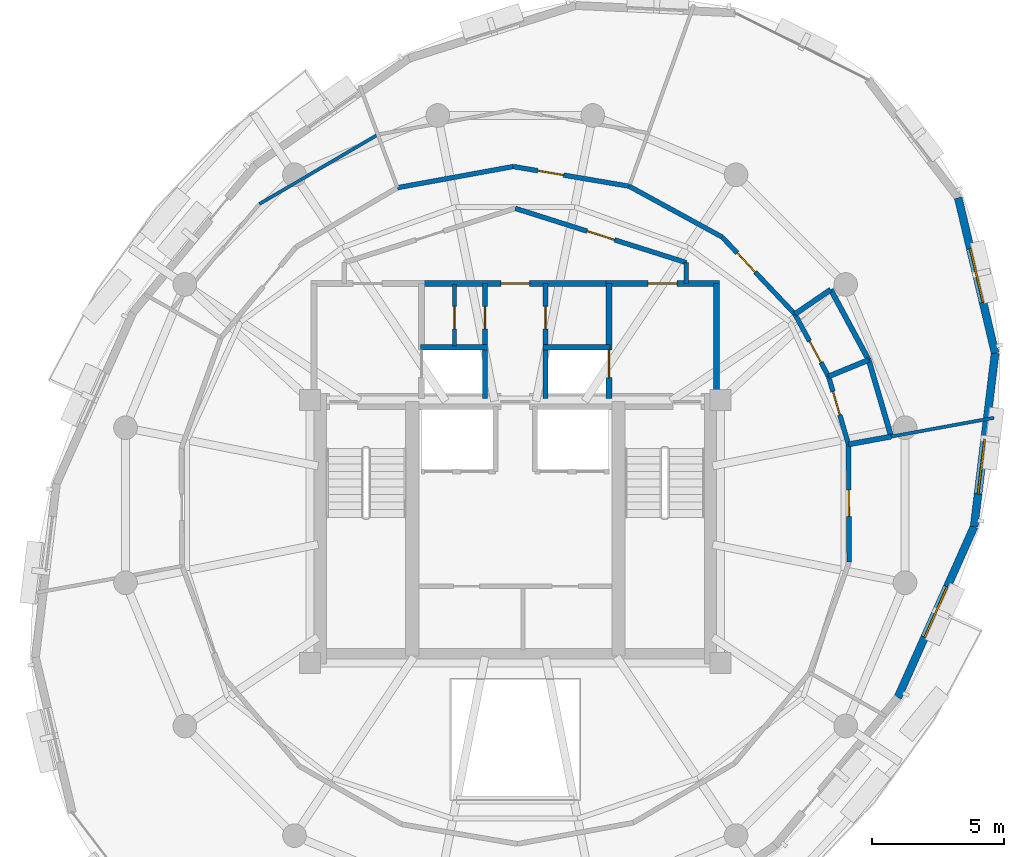
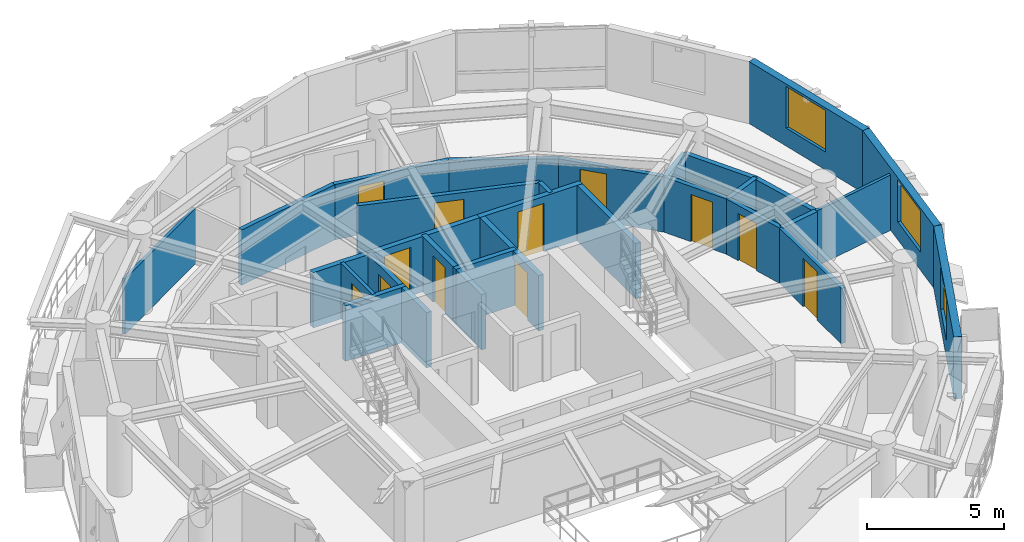
# One storey, part 8 of 11: 28 walls, 12 doors, 3 windows, 15 openings.
"""IFC4 building model written with IfcOpenShell, lengths in metres."""

from ifc_helpers import new_model, si_unit, direction, frame, frame_2d, origin, place, context, subcontext, project, spatial, rectangle, extrude, material, layer, layer_set, type_object, element, fill, save


model = new_model("IFC4")

# Units and contexts
model_context = context("Model", 3, precision=1e-05, world=origin(), true_north=direction((0.0, 1.0)))
body_context = subcontext(model_context, "Body", "Model", "MODEL_VIEW")
ifc_project = project(units=[si_unit("LENGTHUNIT", "METRE"), si_unit("AREAUNIT", "SQUARE_METRE"), si_unit("VOLUMEUNIT", "CUBIC_METRE"), si_unit("PLANEANGLEUNIT", "RADIAN"), si_unit("MASSUNIT", "GRAM", prefix="KILO"), si_unit("THERMODYNAMICTEMPERATUREUNIT", "KELVIN"), si_unit("POWERUNIT", "WATT")], contexts=[model_context])

# Site, building, storey
site_placement = place(None, origin())
site = spatial("IfcSite", under=ifc_project, at=site_placement, CompositionType="ELEMENT")
building_placement = place(site_placement, origin())
building = spatial("IfcBuilding", under=site, at=building_placement, Name="Ocrelia Relay Tower", CompositionType="ELEMENT")
storey_placement = place(building_placement, frame((0.0, 0.0, 241.199951171875)))
storey = spatial("IfcBuildingStorey", under=building, at=storey_placement, Name="L59", CompositionType="ELEMENT", Elevation=241.199951171875)

# Wall
ifc_material_1 = material(Name="Gypsum Fireboard Partition EI60", Category="gypsum")
ifc_layer_1 = layer(ifc_material_1, 0.179931640625, Name="Gypsum Fireboard Partition EI60")
ifc_layer_set_1 = layer_set([ifc_layer_1], Name="Gypsum Fireboard Partition EI60")
wall_type_1 = type_object("IfcWallType", Name="W-CORR-EI60-180", PredefinedType="PARTITIONING", material=ifc_layer_set_1)
wall_1_placement = place(storey_placement, frame((40.5, 35.218994140625, 0.0), z_axis=(0.0, 0.0, 1.0), x_axis=(0.0, -1.0, 0.0)))
element("IfcWall", 1, at=wall_1_placement, inside=storey, type_object=wall_type_1, Name="L59 Smoke Lobby East Return", PredefinedType="PARTITIONING", context=body_context, shape_type="SweptSolid", body=[
    extrude(rectangle(XDim=0.7890625, YDim=0.179931640625, at=frame_2d((0.39453125, 0.0))), origin(), (0.0, 0.0, 1.0), 2.4599609375),
])

# Wall, opening, door
wall_2_placement = place(storey_placement, frame((34.0, 37.280029296875, 0.0), z_axis=(0.0, 0.0, 1.0), x_axis=(0.953228121756, -0.302251795518, 0.0)))
wall_2 = element("IfcWall", 2, at=wall_2_placement, inside=storey, type_object=wall_type_1, Name="L59 North Smoke Lobby E Screen Wall", PredefinedType="PARTITIONING", context=body_context, shape_type="SweptSolid", body=[
    extrude(rectangle(XDim=6.81884765625, YDim=0.179931640625, at=frame_2d((3.409423828125, 0.0))), origin(), (0.0, 0.0, 1.0), 2.4599609375),
])
opening_1_placement = place(wall_2_placement, frame((2.859619140625, 0.0, 0.0)))
opening_1 = element("IfcOpeningElement", 3, at=opening_1_placement, cuts=wall_2, Name="Opening D-FD60", PredefinedType="OPENING", context=body_context, shape_type="SweptSolid", body=[
    extrude(rectangle(XDim=1.10009765625, YDim=2.14990234375, at=frame_2d((0.550048828125, 1.074951171875))), frame((0.0, 0.10009765625, 0.0), z_axis=(0.0, -1.0, 0.0), x_axis=(1.0, 0.0, 0.0)), (0.0, 0.0, 1.0), 0.199951171875),
])
ifc_material_2 = material(Name="Timber-core 60-min acoustic fire door", Category="wood")
door_type_1 = type_object("IfcDoorType", Name="DR-LOBBY-FD60-1100", OperationType="NOTDEFINED", PredefinedType="DOOR", material=ifc_material_2)
door_1_placement = place(opening_1_placement, origin())
door_1 = element("IfcDoor", 4, at=door_1_placement, inside=storey, type_object=door_type_1, Name="L59 North Smoke Lobby E Fire Door", OperationType="SINGLE_SWING_LEFT", OverallHeight=2.14990234375, OverallWidth=1.10009765625, PredefinedType="DOOR", context=body_context, shape_type="SweptSolid", body=[
    extrude(rectangle(XDim=1.10009765625, YDim=2.14990234375, at=frame_2d((0.550048828125, 1.074951171875))), frame((0.0, 0.02490234375, 0.0), z_axis=(0.0, -1.0, 0.0), x_axis=(1.0, 0.0, 0.0)), (0.0, 0.0, 1.0), 0.050048828125),
])
fill(opening_1, door_1)

wall_3_placement = place(storey_placement, frame((46.66064453125, 28.312255859375, 0.0), z_axis=(0.0, 0.0, 1.0), x_axis=(-0.281473567951, 0.95956898165, 0.0)))
wall_3 = element("IfcWall", 5, at=wall_3_placement, inside=storey, type_object=wall_type_1, Name="L59 Staff Toilet Corridor Wall", PredefinedType="PARTITIONING", context=body_context, shape_type="SweptSolid", body=[
    extrude(rectangle(XDim=2.690673828125, YDim=0.179931640625, at=frame_2d((1.34521484375, 0.0))), origin(), (0.0, 0.0, 1.0), 2.4599609375),
])
opening_2_placement = place(wall_3_placement, frame((1.16748046875, 0.0, 0.0)))
opening_2 = element("IfcOpeningElement", 6, at=opening_2_placement, cuts=wall_3, Name="Opening D-WC92", PredefinedType="OPENING", context=body_context, shape_type="SweptSolid", body=[
    extrude(rectangle(XDim=0.919921875, YDim=2.10009765625, at=frame_2d((0.4599609375, 1.050048828125))), frame((0.0, 0.10009765625, 0.0), z_axis=(0.0, -1.0, 0.0), x_axis=(1.0, 0.0, 0.0)), (0.0, 0.0, 1.0), 0.199951171875),
])
ifc_material_3 = material(Name="Laminate washroom door", Category="wood")
door_type_2 = type_object("IfcDoorType", Name="DR-WC-920", OperationType="NOTDEFINED", PredefinedType="DOOR", material=ifc_material_3)
door_2_placement = place(opening_2_placement, origin())
door_2 = element("IfcDoor", 7, at=door_2_placement, inside=storey, type_object=door_type_2, Name="L59 Staff Toilet Door", OperationType="SINGLE_SWING_RIGHT", OverallHeight=2.10009765625, OverallWidth=0.919921875, PredefinedType="DOOR", context=body_context, shape_type="SweptSolid", body=[
    extrude(rectangle(XDim=0.919921875, YDim=2.10009765625, at=frame_2d((0.4599609375, 1.050048828125))), frame((0.0, 0.02490234375, 0.0), z_axis=(0.0, -1.0, 0.0), x_axis=(1.0, 0.0, 0.0)), (0.0, 0.0, 1.0), 0.050048828125),
])
fill(opening_2, door_2)

wall_4_placement = place(storey_placement, frame((45.9033203125, 30.89404296875, 0.0), z_axis=(0.0, 0.0, 1.0), x_axis=(-0.474905831931, 0.88003661901, 0.0)))
wall_4 = element("IfcWall", 8, at=wall_4_placement, inside=storey, type_object=wall_type_1, Name="L59 Accessible Toilet Corridor Wall", PredefinedType="PARTITIONING", context=body_context, shape_type="SweptSolid", body=[
    extrude(rectangle(XDim=2.690673828125, YDim=0.179931640625, at=frame_2d((1.34521484375, 0.0))), origin(), (0.0, 0.0, 1.0), 2.4599609375),
])
opening_3_placement = place(wall_4_placement, frame((0.603271484375, 0.0, 0.0)))
opening_3 = element("IfcOpeningElement", 9, at=opening_3_placement, cuts=wall_4, Name="Opening D-WC92", PredefinedType="OPENING", context=body_context, shape_type="SweptSolid", body=[
    extrude(rectangle(XDim=0.919921875, YDim=2.10009765625, at=frame_2d((0.4599609375, 1.050048828125))), frame((0.0, 0.10009765625, 0.0), z_axis=(0.0, -1.0, 0.0), x_axis=(1.0, 0.0, 0.0)), (0.0, 0.0, 1.0), 0.199951171875),
])
door_3_placement = place(opening_3_placement, origin())
door_3 = element("IfcDoor", 10, at=door_3_placement, inside=storey, type_object=door_type_2, Name="L59 Accessible Toilet Door", OperationType="SINGLE_SWING_LEFT", OverallHeight=2.10009765625, OverallWidth=0.919921875, PredefinedType="DOOR", context=body_context, shape_type="SweptSolid", body=[
    extrude(rectangle(XDim=0.919921875, YDim=2.10009765625, at=frame_2d((0.4599609375, 1.050048828125))), frame((0.0, 0.02490234375, 0.0), z_axis=(0.0, -1.0, 0.0), x_axis=(1.0, 0.0, 0.0)), (0.0, 0.0, 1.0), 0.050048828125),
])
fill(opening_3, door_3)

wall_5_placement = place(storey_placement, frame((44.62548828125, 33.261962890625, 0.0), z_axis=(0.0, 0.0, 1.0), x_axis=(-0.686440124719, 0.727186327688, 0.0)))
wall_5 = element("IfcWall", 11, at=wall_5_placement, inside=storey, type_object=wall_type_1, Name="L59 Executive Boardroom Corridor Partition 1", PredefinedType="PARTITIONING", context=body_context, shape_type="SweptSolid", body=[
    extrude(rectangle(XDim=4.0263671875, YDim=0.179931640625, at=frame_2d((2.01318359375, 0.0))), origin(), (0.0, 0.0, 1.0), 2.4599609375),
])
opening_4_placement = place(wall_5_placement, frame((2.19482421875, 0.0, 0.0)))
opening_4 = element("IfcOpeningElement", 12, at=opening_4_placement, cuts=wall_5, Name="Opening D-RM100", PredefinedType="OPENING", context=body_context, shape_type="SweptSolid", body=[
    extrude(rectangle(XDim=1.0, YDim=2.14990234375, at=frame_2d((0.5, 1.074951171875))), frame((0.0, 0.10009765625, 0.0), z_axis=(0.0, -1.0, 0.0), x_axis=(1.0, 0.0, 0.0)), (0.0, 0.0, 1.0), 0.199951171875),
])
ifc_material_4 = material(Name="Acoustic oak veneer fire door", Category="wood")
door_type_3 = type_object("IfcDoorType", Name="DR-ROOM-FD60-1000", OperationType="NOTDEFINED", PredefinedType="DOOR", material=ifc_material_4)
door_4_placement = place(opening_4_placement, origin())
door_4 = element("IfcDoor", 13, at=door_4_placement, inside=storey, type_object=door_type_3, Name="L59 Executive Boardroom Entrance Door", OperationType="SINGLE_SWING_RIGHT", OverallHeight=2.14990234375, OverallWidth=1.0, PredefinedType="DOOR", context=body_context, shape_type="SweptSolid", body=[
    extrude(rectangle(XDim=1.0, YDim=2.14990234375, at=frame_2d((0.5, 1.074951171875))), frame((0.0, 0.02490234375, 0.0), z_axis=(0.0, -1.0, 0.0), x_axis=(1.0, 0.0, 0.0)), (0.0, 0.0, 1.0), 0.050048828125),
])
fill(opening_4, door_4)

# Wall
wall_6_placement = place(storey_placement, frame((41.861572265625, 36.18994140625, 0.0), z_axis=(0.0, 0.0, 1.0), x_axis=(-0.877561700538, 0.47946372308, 0.0)))
element("IfcWall", 14, at=wall_6_placement, inside=storey, type_object=wall_type_1, Name="L59 Executive Boardroom Corridor Partition 2", PredefinedType="PARTITIONING", context=body_context, shape_type="SweptSolid", body=[
    extrude(rectangle(XDim=4.026611328125, YDim=0.179931640625, at=frame_2d((2.01318359375, 0.0))), origin(), (0.0, 0.0, 1.0), 2.4599609375),
])

# Wall, opening, door
wall_7_placement = place(storey_placement, frame((38.327880859375, 38.12060546875, 0.0), z_axis=(0.0, 0.0, 1.0), x_axis=(-0.985849799471, 0.167631061808, 0.0)))
wall_7 = element("IfcWall", 15, at=wall_7_placement, inside=storey, type_object=wall_type_1, Name="L59 Directorate Conference Room Corridor Partition 1", PredefinedType="PARTITIONING", context=body_context, shape_type="SweptSolid", body=[
    extrude(rectangle(XDim=4.4697265625, YDim=0.179931640625, at=frame_2d((2.23486328125, 0.0))), origin(), (0.0, 0.0, 1.0), 2.4599609375),
])
opening_5_placement = place(wall_7_placement, frame((2.527099609375, 0.0, 0.0)))
opening_5 = element("IfcOpeningElement", 16, at=opening_5_placement, cuts=wall_7, Name="Opening D-RM100", PredefinedType="OPENING", context=body_context, shape_type="SweptSolid", body=[
    extrude(rectangle(XDim=1.0, YDim=2.14990234375, at=frame_2d((0.5, 1.074951171875))), frame((0.0, 0.10009765625, 0.0), z_axis=(0.0, -1.0, 0.0), x_axis=(1.0, 0.0, 0.0)), (0.0, 0.0, 1.0), 0.199951171875),
])
door_5_placement = place(opening_5_placement, origin())
door_5 = element("IfcDoor", 17, at=door_5_placement, inside=storey, type_object=door_type_3, Name="L59 Directorate Conference Room Entrance Door", OperationType="SINGLE_SWING_LEFT", OverallHeight=2.14990234375, OverallWidth=1.0, PredefinedType="DOOR", context=body_context, shape_type="SweptSolid", body=[
    extrude(rectangle(XDim=1.0, YDim=2.14990234375, at=frame_2d((0.5, 1.074951171875))), frame((0.0, 0.02490234375, 0.0), z_axis=(0.0, -1.0, 0.0), x_axis=(1.0, 0.0, 0.0)), (0.0, 0.0, 1.0), 0.050048828125),
])
fill(opening_5, door_5)

# Wall
wall_8_placement = place(storey_placement, frame((33.92138671875, 38.869873046875, 0.0), z_axis=(0.0, 0.0, 1.0), x_axis=(-0.983721002142, -0.179702504, 0.0)))
element("IfcWall", 18, at=wall_8_placement, inside=storey, type_object=wall_type_1, Name="L59 Directorate Conference Room Corridor Partition 2", PredefinedType="PARTITIONING", context=body_context, shape_type="SweptSolid", body=[
    extrude(rectangle(XDim=4.4697265625, YDim=0.179931640625, at=frame_2d((2.23486328125, 0.0))), origin(), (0.0, 0.0, 1.0), 2.4599609375),
])

# Wall, opening, door
wall_9_placement = place(storey_placement, frame((46.68798828125, 23.842529296875, 0.0), z_axis=(0.0, 0.0, 1.0), x_axis=(-0.006117429774, 0.999981288351, 0.0)))
wall_9 = element("IfcWall", 19, at=wall_9_placement, inside=storey, type_object=wall_type_1, Name="L59 Hospitality Servery Pantry Corridor Partition 2", PredefinedType="PARTITIONING", context=body_context, shape_type="SweptSolid", body=[
    extrude(rectangle(XDim=4.4697265625, YDim=0.179931640625, at=frame_2d((2.23486328125, 0.0))), origin(), (0.0, 0.0, 1.0), 2.4599609375),
])
opening_6_placement = place(wall_9_placement, frame((1.73486328125, 0.0, 0.0)))
opening_6 = element("IfcOpeningElement", 20, at=opening_6_placement, cuts=wall_9, Name="Opening D-RM100", PredefinedType="OPENING", context=body_context, shape_type="SweptSolid", body=[
    extrude(rectangle(XDim=1.0, YDim=2.14990234375, at=frame_2d((0.5, 1.074951171875))), frame((0.0, 0.10009765625, 0.0), z_axis=(0.0, -1.0, 0.0), x_axis=(1.0, 0.0, 0.0)), (0.0, 0.0, 1.0), 0.199951171875),
])
door_6_placement = place(opening_6_placement, origin())
door_6 = element("IfcDoor", 21, at=door_6_placement, inside=storey, type_object=door_type_3, Name="L59 Hospitality Servery Pantry Entrance Door", OperationType="SINGLE_SWING_LEFT", OverallHeight=2.14990234375, OverallWidth=1.0, PredefinedType="DOOR", context=body_context, shape_type="SweptSolid", body=[
    extrude(rectangle(XDim=1.0, YDim=2.14990234375, at=frame_2d((0.5, 1.074951171875))), frame((0.0, 0.02490234375, 0.0), z_axis=(0.0, -1.0, 0.0), x_axis=(1.0, 0.0, 0.0)), (0.0, 0.0, 1.0), 0.050048828125),
])
fill(opening_6, door_6)

# Wall, opening, window
ifc_material_5 = material(Name="Precast concrete C40/50 with oxide terracotta", Category="masonry")
ifc_layer_2 = layer(ifc_material_5, 0.300048828125, Name="Precast concrete C40/50 with oxide terracotta")
ifc_layer_set_2 = layer_set([ifc_layer_2], Name="Precast concrete C40/50 with oxide terracotta")
wall_type_2 = type_object("IfcWallType", Name="W-EXT-TERR-300", PredefinedType="SOLIDWALL", material=ifc_layer_set_2)
wall_10_placement = place(storey_placement, frame((48.534912109375, 18.6904296875, 0.0), z_axis=(0.0, 0.0, 1.0), x_axis=(0.407669232849, 0.913129671289, 0.0)))
wall_10 = element("IfcWall", 22, at=wall_10_placement, inside=storey, type_object=wall_type_2, Name="L59 Oxide Terracotta Facade Wall 15", PredefinedType="SOLIDWALL", context=body_context, shape_type="SweptSolid", body=[
    extrude(rectangle(XDim=7.115234375, YDim=0.300048828125, at=frame_2d((3.5576171875, 0.0))), origin(), (0.0, 0.0, 1.0), 2.760009765625),
])
opening_7_placement = place(wall_10_placement, frame((2.508056640625, 0.0, 0.800048828125)))
opening_7 = element("IfcOpeningElement", 23, at=opening_7_placement, cuts=wall_10, Name="Opening W-07", PredefinedType="OPENING", context=body_context, shape_type="SweptSolid", body=[
    extrude(rectangle(XDim=2.10009765625, YDim=1.85009765625, at=frame_2d((1.050048828125, 0.925048828125))), frame((0.0, 0.16015625, 0.0), z_axis=(0.0, -1.0, 0.0), x_axis=(1.0, 0.0, 0.0)), (0.0, 0.0, 1.0), 0.320068359375),
])
ifc_material_6 = material(Name="Clear double-glazed low-E glass", Category="glass")
window_type = type_object("IfcWindowType", Name="WIN-Z4-2100x2200", PartitioningType="DOUBLE_PANEL_VERTICAL", PredefinedType="WINDOW", material=ifc_material_6)
window_1_placement = place(opening_7_placement, origin())
window_1 = element("IfcWindow", 24, at=window_1_placement, inside=storey, type_object=window_type, Name="L59 Facade Module Window 15", OverallHeight=1.85009765625, OverallWidth=2.10009765625, PartitioningType="SINGLE_PANEL", PredefinedType="WINDOW", context=body_context, shape_type="SweptSolid", body=[
    extrude(rectangle(XDim=2.10009765625, YDim=1.85009765625, at=frame_2d((1.050048828125, 0.925048828125))), frame((0.0, 0.030029296875, 0.0), z_axis=(0.0, -1.0, 0.0), x_axis=(1.0, 0.0, 0.0)), (0.0, 0.0, 1.0), 0.06005859375),
])
fill(opening_7, window_1)

wall_11_placement = place(storey_placement, frame((51.435546875, 25.1875, 0.0), z_axis=(0.0, 0.0, 1.0), x_axis=(0.120062472336, 0.992766338439, 0.0)))
wall_11 = element("IfcWall", 25, at=wall_11_placement, inside=storey, type_object=wall_type_2, Name="L59 Oxide Terracotta Facade Wall 16", PredefinedType="SOLIDWALL", context=body_context, shape_type="SweptSolid", body=[
    extrude(rectangle(XDim=6.643310546875, YDim=0.300048828125, at=frame_2d((3.32177734375, 0.0))), origin(), (0.0, 0.0, 1.0), 2.760009765625),
])
opening_8_placement = place(wall_11_placement, frame((1.2509765625, 0.0, 0.800048828125)))
opening_8 = element("IfcOpeningElement", 26, at=opening_8_placement, cuts=wall_11, Name="Opening W-07", PredefinedType="OPENING", context=body_context, shape_type="SweptSolid", body=[
    extrude(rectangle(XDim=2.10009765625, YDim=1.85009765625, at=frame_2d((1.050048828125, 0.925048828125))), frame((0.0, 0.16015625, 0.0), z_axis=(0.0, -1.0, 0.0), x_axis=(1.0, 0.0, 0.0)), (0.0, 0.0, 1.0), 0.320068359375),
])
window_2_placement = place(opening_8_placement, origin())
window_2 = element("IfcWindow", 27, at=window_2_placement, inside=storey, type_object=window_type, Name="L59 Facade Module Window 16", OverallHeight=1.85009765625, OverallWidth=2.10009765625, PartitioningType="SINGLE_PANEL", PredefinedType="WINDOW", context=body_context, shape_type="SweptSolid", body=[
    extrude(rectangle(XDim=2.10009765625, YDim=1.85009765625, at=frame_2d((1.050048828125, 0.925048828125))), frame((0.0, 0.030029296875, 0.0), z_axis=(0.0, -1.0, 0.0), x_axis=(1.0, 0.0, 0.0)), (0.0, 0.0, 1.0), 0.06005859375),
])
fill(opening_8, window_2)

wall_12_placement = place(storey_placement, frame((52.233154296875, 31.78271484375, 0.0), z_axis=(0.0, 0.0, 1.0), x_axis=(-0.23117584111, 0.972911984964, 0.0)))
wall_12 = element("IfcWall", 28, at=wall_12_placement, inside=storey, type_object=wall_type_2, Name="L59 Oxide Terracotta Facade Wall 17", PredefinedType="SOLIDWALL", context=body_context, shape_type="SweptSolid", body=[
    extrude(rectangle(XDim=6.06201171875, YDim=0.300048828125, at=frame_2d((3.031005859375, 0.0))), origin(), (0.0, 0.0, 1.0), 2.760009765625),
])
opening_9_placement = place(wall_12_placement, frame((1.98095703125, 0.0, 0.800048828125)))
opening_9 = element("IfcOpeningElement", 29, at=opening_9_placement, cuts=wall_12, Name="Opening W-07", PredefinedType="OPENING", context=body_context, shape_type="SweptSolid", body=[
    extrude(rectangle(XDim=2.10009765625, YDim=1.85009765625, at=frame_2d((1.050048828125, 0.925048828125))), frame((0.0, 0.16015625, 0.0), z_axis=(0.0, -1.0, 0.0), x_axis=(1.0, 0.0, 0.0)), (0.0, 0.0, 1.0), 0.320068359375),
])
window_3_placement = place(opening_9_placement, origin())
window_3 = element("IfcWindow", 30, at=window_3_placement, inside=storey, type_object=window_type, Name="L59 Facade Module Window 17", OverallHeight=1.85009765625, OverallWidth=2.10009765625, PartitioningType="SINGLE_PANEL", PredefinedType="WINDOW", context=body_context, shape_type="SweptSolid", body=[
    extrude(rectangle(XDim=2.10009765625, YDim=1.85009765625, at=frame_2d((1.050048828125, 0.925048828125))), frame((0.0, 0.030029296875, 0.0), z_axis=(0.0, -1.0, 0.0), x_axis=(1.0, 0.0, 0.0)), (0.0, 0.0, 1.0), 0.06005859375),
])
fill(opening_9, window_3)

# Wall, opening, door
ifc_material_7 = material(Name="Concrete C50/60", Category="concrete")
ifc_layer_3 = layer(ifc_material_7, 0.219970703125, Name="Concrete C50/60")
ifc_layer_set_3 = layer_set([ifc_layer_3], Name="Concrete C50/60")
wall_type_3 = type_object("IfcWallType", Name="W-FFL-EI120-220", PredefinedType="SOLIDWALL", material=ifc_layer_set_3)
wall_13_placement = place(storey_placement, frame((37.56005859375, 30.050048828125, 0.0), z_axis=(0.0, 0.0, 1.0), x_axis=(0.0, 1.0, 0.0)))
wall_13 = element("IfcWall", 31, at=wall_13_placement, inside=storey, type_object=wall_type_3, Name="L59 E Fire Service Lift Lobby West Wall", PredefinedType="SOLIDWALL", context=body_context, shape_type="SweptSolid", body=[
    extrude(rectangle(XDim=4.3798828125, YDim=0.219970703125, at=frame_2d((2.18994140625, 0.0))), origin(), (0.0, 0.0, 1.0), 2.4599609375),
])
opening_10_placement = place(wall_13_placement, frame((0.800048828125, 0.0, 0.0)))
opening_10 = element("IfcOpeningElement", 32, at=opening_10_placement, cuts=wall_13, Name="Opening LD-FFL2", PredefinedType="OPENING", context=body_context, shape_type="SweptSolid", body=[
    extrude(rectangle(XDim=1.050048828125, YDim=2.10009765625, at=frame_2d((0.52490234375, 1.050048828125))), frame((0.0, 0.1201171875, 0.0), z_axis=(0.0, -1.0, 0.0), x_axis=(1.0, 0.0, 0.0)), (0.0, 0.0, 1.0), 0.239990234375),
])
ifc_material_8 = material(Name="Brushed stainless steel S355 lift landing door", Category="steel")
door_type_4 = type_object("IfcDoorType", Name="DR-LIFT-LAND-1050", OperationType="DOUBLE_DOOR_SLIDING", PredefinedType="USERDEFINED", material=ifc_material_8)
door_7_placement = place(opening_10_placement, origin())
door_7 = element("IfcDoor", 33, at=door_7_placement, inside=storey, type_object=door_type_4, Name="L59 Firefighting Lift FFL2 Sliding Landing Door", ObjectType="LANDING DOOR", OperationType="DOUBLE_DOOR_SLIDING", OverallHeight=2.10009765625, OverallWidth=1.050048828125, PredefinedType="USERDEFINED", context=body_context, shape_type="SweptSolid", body=[
    extrude(rectangle(XDim=1.050048828125, YDim=2.10009765625, at=frame_2d((0.52490234375, 1.050048828125))), frame((0.0, 0.02490234375, 0.0), z_axis=(0.0, -1.0, 0.0), x_axis=(1.0, 0.0, 0.0)), (0.0, 0.0, 1.0), 0.050048828125),
])
fill(opening_10, door_7)

# Wall
wall_14_placement = place(storey_placement, frame((41.64990234375, 30.050048828125, 0.0), z_axis=(0.0, 0.0, 1.0), x_axis=(0.0, 1.0, 0.0)))
element("IfcWall", 34, at=wall_14_placement, inside=storey, type_object=wall_type_3, Name="L59 E Fire Service Lift Lobby East Wall", PredefinedType="SOLIDWALL", context=body_context, shape_type="SweptSolid", body=[
    extrude(rectangle(XDim=4.3798828125, YDim=0.219970703125, at=frame_2d((2.18994140625, 0.0))), origin(), (0.0, 0.0, 1.0), 2.4599609375),
])

# Wall, opening, door
wall_15_placement = place(storey_placement, frame((37.449951171875, 34.429931640625, 0.0), z_axis=(0.0, 0.0, 1.0), x_axis=(1.0, 0.0, 0.0)))
wall_15 = element("IfcWall", 35, at=wall_15_placement, inside=storey, type_object=wall_type_3, Name="L59 E Fire Service Lift Lobby North Wall", PredefinedType="SOLIDWALL", context=body_context, shape_type="SweptSolid", body=[
    extrude(rectangle(XDim=4.31005859375, YDim=0.219970703125, at=frame_2d((2.155029296875, 0.0))), origin(), (0.0, 0.0, 1.0), 2.4599609375),
])
opening_11_placement = place(wall_15_placement, frame((1.60009765625, 0.0, 0.0)))
opening_11 = element("IfcOpeningElement", 36, at=opening_11_placement, cuts=wall_15, Name="Opening D-FD60", PredefinedType="OPENING", context=body_context, shape_type="SweptSolid", body=[
    extrude(rectangle(XDim=1.10009765625, YDim=2.14990234375, at=frame_2d((0.550048828125, 1.074951171875))), frame((0.0, 0.1201171875, 0.0), z_axis=(0.0, -1.0, 0.0), x_axis=(1.0, 0.0, 0.0)), (0.0, 0.0, 1.0), 0.239990234375),
])
door_8_placement = place(opening_11_placement, origin())
door_8 = element("IfcDoor", 37, at=door_8_placement, inside=storey, type_object=door_type_1, Name="L59 E Fire Service Lift Lobby Exit Door", OperationType="SINGLE_SWING_RIGHT", OverallHeight=2.14990234375, OverallWidth=1.10009765625, PredefinedType="DOOR", context=body_context, shape_type="SweptSolid", body=[
    extrude(rectangle(XDim=1.10009765625, YDim=2.14990234375, at=frame_2d((0.550048828125, 1.074951171875))), frame((0.0, 0.02490234375, 0.0), z_axis=(0.0, -1.0, 0.0), x_axis=(1.0, 0.0, 0.0)), (0.0, 0.0, 1.0), 0.050048828125),
])
fill(opening_11, door_8)

wall_16_placement = place(storey_placement, frame((30.43994140625, 34.429931640625, 0.0), z_axis=(0.0, 0.0, 1.0), x_axis=(1.0, 0.0, 0.0)))
wall_16 = element("IfcWall", 38, at=wall_16_placement, inside=storey, type_object=wall_type_3, Name="L59 North Core Vestibule Wall", PredefinedType="SOLIDWALL", context=body_context, shape_type="SweptSolid", body=[
    extrude(rectangle(XDim=7.1201171875, YDim=0.219970703125, at=frame_2d((3.56005859375, 0.0))), origin(), (0.0, 0.0, 1.0), 2.4599609375),
])
opening_12_placement = place(wall_16_placement, frame((3.010009765625, 0.0, 0.0)))
opening_12 = element("IfcOpeningElement", 39, at=opening_12_placement, cuts=wall_16, Name="Opening D-FD60", PredefinedType="OPENING", context=body_context, shape_type="SweptSolid", body=[
    extrude(rectangle(XDim=1.10009765625, YDim=2.14990234375, at=frame_2d((0.550048828125, 1.074951171875))), frame((0.0, 0.1201171875, 0.0), z_axis=(0.0, -1.0, 0.0), x_axis=(1.0, 0.0, 0.0)), (0.0, 0.0, 1.0), 0.239990234375),
])
door_9_placement = place(opening_12_placement, origin())
door_9 = element("IfcDoor", 40, at=door_9_placement, inside=storey, type_object=door_type_1, Name="L59 North Core Vestibule Corridor Door", OperationType="SINGLE_SWING_RIGHT", OverallHeight=2.14990234375, OverallWidth=1.10009765625, PredefinedType="DOOR", context=body_context, shape_type="SweptSolid", body=[
    extrude(rectangle(XDim=1.10009765625, YDim=2.14990234375, at=frame_2d((0.550048828125, 1.074951171875))), frame((0.0, 0.02490234375, 0.0), z_axis=(0.0, -1.0, 0.0), x_axis=(1.0, 0.0, 0.0)), (0.0, 0.0, 1.0), 0.050048828125),
])
fill(opening_12, door_9)

# Walls
ifc_material_9 = material(Name="Acoustic Fireboard Partition EI60", Category="gypsum")
ifc_layer_4 = layer(ifc_material_9, 0.125, Name="Acoustic Fireboard Partition EI60")
ifc_layer_set_4 = layer_set([ifc_layer_4], Name="Acoustic Fireboard Partition EI60")
wall_type_4 = type_object("IfcWallType", Name="W-PART-125", PredefinedType="PARTITIONING", material=ifc_layer_set_4)
wall_17_placement = place(storey_placement, frame((48.28369140625, 28.608642578125, 0.0), z_axis=(0.0, 0.0, 1.0), x_axis=(0.98373190469, 0.179642811418, 0.0)))
element("IfcWall", 41, at=wall_17_placement, inside=storey, type_object=wall_type_4, Name="L59 Executive Boardroom Radial Partition", PredefinedType="PARTITIONING", context=body_context, shape_type="SweptSolid", body=[
    extrude(rectangle(XDim=3.97119140625, YDim=0.125, at=frame_2d((1.985595703125, 0.0))), origin(), (0.0, 0.0, 1.0), 2.4599609375),
])
wall_18_placement = place(storey_placement, frame((28.776611328125, 40.08251953125, 0.0), z_axis=(0.0, 0.0, 1.0), x_axis=(-0.862952750204, -0.505284623668, 0.0)))
element("IfcWall", 42, at=wall_18_placement, inside=storey, type_object=wall_type_4, Name="L59 Perimeter Regulatory Seminar Room Mid-Ring Partition 1", PredefinedType="PARTITIONING", context=body_context, shape_type="SweptSolid", body=[
    extrude(rectangle(XDim=5.21630859375, YDim=0.125, at=frame_2d((2.608154296875, 0.0))), origin(), (0.0, 0.0, 1.0), 2.4599609375),
])

# Wall, opening, door
ifc_layer_5 = layer(ifc_material_9, 0.14990234375, Name="Acoustic Fireboard Partition EI60")
ifc_layer_set_5 = layer_set([ifc_layer_5], Name="Acoustic Fireboard Partition EI60")
wall_type_5 = type_object("IfcWallType", Name="W-PART-150", PredefinedType="PARTITIONING", material=ifc_layer_set_5)
wall_19_placement = place(storey_placement, frame((31.68994140625, 32.050048828125, 0.0), z_axis=(0.0, 0.0, 1.0), x_axis=(0.0, 1.0, 0.0)))
wall_19 = element("IfcWall", 43, at=wall_19_placement, inside=storey, type_object=wall_type_5, Name="L59 West Core Support Partition", PredefinedType="PARTITIONING", context=body_context, shape_type="SweptSolid", body=[
    extrude(rectangle(XDim=2.329833984375, YDim=0.14990234375, at=frame_2d((1.1650390625, 0.0))), origin(), (0.0, 0.0, 1.0), 2.4599609375),
])
opening_13_placement = place(wall_19_placement, frame((0.64990234375, 0.0, 0.0)))
opening_13 = element("IfcOpeningElement", 44, at=opening_13_placement, cuts=wall_19, Name="Opening D-RS86", PredefinedType="OPENING", context=body_context, shape_type="SweptSolid", body=[
    extrude(rectangle(XDim=0.860107421875, YDim=2.050048828125, at=frame_2d((0.43017578125, 1.02490234375))), frame((0.0, 0.0849609375, 0.0), z_axis=(0.0, -1.0, 0.0), x_axis=(1.0, 0.0, 0.0)), (0.0, 0.0, 1.0), 0.169921875),
])
ifc_material_10 = material(Name="Steel S355 riser access fire door", Category="steel")
door_type_5 = type_object("IfcDoorType", Name="DR-RISER-TRAP-860", OperationType="NOTDEFINED", PredefinedType="TRAPDOOR", material=ifc_material_10)
door_10_placement = place(opening_13_placement, origin())
door_10 = element("IfcDoor", 45, at=door_10_placement, inside=storey, type_object=door_type_5, Name="L59 West Core Store Connecting Door", OperationType="SINGLE_SWING_LEFT", OverallHeight=2.050048828125, OverallWidth=0.860107421875, PredefinedType="TRAPDOOR", context=body_context, shape_type="SweptSolid", body=[
    extrude(rectangle(XDim=0.860107421875, YDim=2.050048828125, at=frame_2d((0.43017578125, 1.02490234375))), frame((0.0, 0.02490234375, 0.0), z_axis=(0.0, -1.0, 0.0), x_axis=(1.0, 0.0, 0.0)), (0.0, 0.0, 1.0), 0.050048828125),
])
fill(opening_13, door_10)

# Walls
ifc_material_11 = material(Name="Moisture-Resistant Fireboard Chase Wall EI60", Category="gypsum")
ifc_layer_6 = layer(ifc_material_11, 0.199951171875, Name="Moisture-Resistant Fireboard Chase Wall EI60")
ifc_layer_set_6 = layer_set([ifc_layer_6], Name="Moisture-Resistant Fireboard Chase Wall EI60")
wall_type_6 = type_object("IfcWallType", Name="W-PLUMB-200", PredefinedType="PLUMBINGWALL", material=ifc_layer_set_6)
for number, where, z_axis, x_axis, name in (
    (46, (46.66064453125, 28.312255859375, 0.0), (0.0, 0.0, 1.0), (0.983732300183, 0.179640645671, 0.0), "L59 Staff Toilet Plumbing Radial Wall"),
    (47, (45.9033203125, 30.89404296875, 0.0), (0.0, 0.0, 1.0), (0.924861868507, 0.38030320033, 0.0), "L59 Staff Toilet Plumbing Radial Wall"),
):
    element("IfcWall", number, at=place(storey_placement, frame(where, z_axis=z_axis, x_axis=x_axis)), inside=storey, type_object=wall_type_6, Name=name, PredefinedType="PLUMBINGWALL", context=body_context, shape_type="SweptSolid", body=[
        extrude(rectangle(XDim=1.64990234375, YDim=0.199951171875, at=frame_2d((0.824951171875, 0.0))), origin(), (0.0, 0.0, 1.0), 2.4599609375),
    ])
wall_20_placement = place(storey_placement, frame((48.28369140625, 28.608642578125, 0.0), z_axis=(0.0, 0.0, 1.0), x_axis=(-0.281491340898, 0.959563768073, 0.0)))
element("IfcWall", 48, at=wall_20_placement, inside=storey, type_object=wall_type_6, Name="L59 Staff Toilet Back Plumbing Wall", PredefinedType="PLUMBINGWALL", context=body_context, shape_type="SweptSolid", body=[
    extrude(rectangle(XDim=3.03564453125, YDim=0.199951171875, at=frame_2d((1.517822265625, 0.0))), origin(), (0.0, 0.0, 1.0), 2.4599609375),
])
wall_21_placement = place(storey_placement, frame((44.62548828125, 33.261962890625, 0.0), z_axis=(0.0, 0.0, 1.0), x_axis=(0.825644641501, 0.564190505026, 0.0)))
element("IfcWall", 49, at=wall_21_placement, inside=storey, type_object=wall_type_6, Name="L59 Accessible Toilet Plumbing Radial Wall", PredefinedType="PLUMBINGWALL", context=body_context, shape_type="SweptSolid", body=[
    extrude(rectangle(XDim=1.64990234375, YDim=0.199951171875, at=frame_2d((0.824951171875, 0.0))), origin(), (0.0, 0.0, 1.0), 2.4599609375),
])
wall_22_placement = place(storey_placement, frame((47.42919921875, 31.521484375, 0.0), z_axis=(0.0, 0.0, 1.0), x_axis=(-0.474857458355, 0.880062721768, 0.0)))
element("IfcWall", 50, at=wall_22_placement, inside=storey, type_object=wall_type_6, Name="L59 Accessible Toilet Back Plumbing Wall", PredefinedType="PLUMBINGWALL", context=body_context, shape_type="SweptSolid", body=[
    extrude(rectangle(XDim=3.035400390625, YDim=0.199951171875, at=frame_2d((1.517578125, 0.0))), origin(), (0.0, 0.0, 1.0), 2.4599609375),
])
ifc_layer_7 = layer(ifc_material_7, 0.199951171875, Name="Concrete C50/60")
ifc_layer_set_7 = layer_set([ifc_layer_7], Name="Concrete C50/60")
wall_type_7 = type_object("IfcWallType", Name="W-SHAFT-EI120-200", PredefinedType="SOLIDWALL", material=ifc_layer_set_7)
wall_23_placement = place(storey_placement, frame((30.39990234375, 32.0, 0.0), z_axis=(0.0, 0.0, 1.0), x_axis=(1.0, 0.0, 0.0)))
element("IfcWall", 51, at=wall_23_placement, inside=storey, type_object=wall_type_7, Name="L59 FFL1 Hoistway North Wall", PredefinedType="SOLIDWALL", context=body_context, shape_type="SweptSolid", body=[
    extrude(rectangle(XDim=2.550048828125, YDim=0.199951171875, at=frame_2d((1.27490234375, 0.0))), origin(), (0.0, 0.0, 1.0), 2.4599609375),
])

# Wall, opening, door
wall_24_placement = place(storey_placement, frame((32.85009765625, 30.050048828125, 0.0), z_axis=(0.0, 0.0, 1.0), x_axis=(0.0, 1.0, 0.0)))
wall_24 = element("IfcWall", 52, at=wall_24_placement, inside=storey, type_object=wall_type_7, Name="L59 FFL1 and Service Vestibule Wall", PredefinedType="SOLIDWALL", context=body_context, shape_type="SweptSolid", body=[
    extrude(rectangle(XDim=4.3798828125, YDim=0.199951171875, at=frame_2d((2.18994140625, 0.0))), origin(), (0.0, 0.0, 1.0), 2.4599609375),
])
opening_14_placement = place(wall_24_placement, frame((2.64990234375, 0.0, 0.0)))
opening_14 = element("IfcOpeningElement", 53, at=opening_14_placement, cuts=wall_24, Name="Opening D-RS86", PredefinedType="OPENING", context=body_context, shape_type="SweptSolid", body=[
    extrude(rectangle(XDim=0.860107421875, YDim=2.050048828125, at=frame_2d((0.43017578125, 1.02490234375))), frame((0.0, 0.10986328125, 0.0), z_axis=(0.0, -1.0, 0.0), x_axis=(1.0, 0.0, 0.0)), (0.0, 0.0, 1.0), 0.219970703125),
])
door_11_placement = place(opening_14_placement, origin())
door_11 = element("IfcDoor", 54, at=door_11_placement, inside=storey, type_object=door_type_5, Name="L59 Core Support Room W Door", OperationType="SINGLE_SWING_LEFT", OverallHeight=2.050048828125, OverallWidth=0.860107421875, PredefinedType="TRAPDOOR", context=body_context, shape_type="SweptSolid", body=[
    extrude(rectangle(XDim=0.860107421875, YDim=2.050048828125, at=frame_2d((0.43017578125, 1.02490234375))), frame((0.0, 0.02490234375, 0.0), z_axis=(0.0, -1.0, 0.0), x_axis=(1.0, 0.0, 0.0)), (0.0, 0.0, 1.0), 0.050048828125),
])
fill(opening_14, door_11)

# Wall
wall_25_placement = place(storey_placement, frame((35.050048828125, 32.0, 0.0), z_axis=(0.0, 0.0, 1.0), x_axis=(1.0, 0.0, 0.0)))
element("IfcWall", 55, at=wall_25_placement, inside=storey, type_object=wall_type_7, Name="L59 FFL2 Hoistway North Wall", PredefinedType="SOLIDWALL", context=body_context, shape_type="SweptSolid", body=[
    extrude(rectangle(XDim=2.550048828125, YDim=0.199951171875, at=frame_2d((1.27490234375, 0.0))), origin(), (0.0, 0.0, 1.0), 2.4599609375),
])

# Wall, opening, door
wall_26_placement = place(storey_placement, frame((35.14990234375, 30.050048828125, 0.0), z_axis=(0.0, 0.0, 1.0), x_axis=(0.0, 1.0, 0.0)))
wall_26 = element("IfcWall", 56, at=wall_26_placement, inside=storey, type_object=wall_type_7, Name="L59 FFL2 and Service Vestibule Wall", PredefinedType="SOLIDWALL", context=body_context, shape_type="SweptSolid", body=[
    extrude(rectangle(XDim=4.3798828125, YDim=0.199951171875, at=frame_2d((2.18994140625, 0.0))), origin(), (0.0, 0.0, 1.0), 2.4599609375),
])
opening_15_placement = place(wall_26_placement, frame((2.64990234375, 0.0, 0.0)))
opening_15 = element("IfcOpeningElement", 57, at=opening_15_placement, cuts=wall_26, Name="Opening D-RS86", PredefinedType="OPENING", context=body_context, shape_type="SweptSolid", body=[
    extrude(rectangle(XDim=0.860107421875, YDim=2.050048828125, at=frame_2d((0.43017578125, 1.02490234375))), frame((0.0, 0.10986328125, 0.0), z_axis=(0.0, -1.0, 0.0), x_axis=(1.0, 0.0, 0.0)), (0.0, 0.0, 1.0), 0.219970703125),
])
door_12_placement = place(opening_15_placement, origin())
door_12 = element("IfcDoor", 58, at=door_12_placement, inside=storey, type_object=door_type_5, Name="L59 Core Support Room E Door", OperationType="SINGLE_SWING_LEFT", OverallHeight=2.050048828125, OverallWidth=0.860107421875, PredefinedType="TRAPDOOR", context=body_context, shape_type="SweptSolid", body=[
    extrude(rectangle(XDim=0.860107421875, YDim=2.050048828125, at=frame_2d((0.43017578125, 1.02490234375))), frame((0.0, 0.02490234375, 0.0), z_axis=(0.0, -1.0, 0.0), x_axis=(1.0, 0.0, 0.0)), (0.0, 0.0, 1.0), 0.050048828125),
])
fill(opening_15, door_12)

save(model, "model.ifc")
